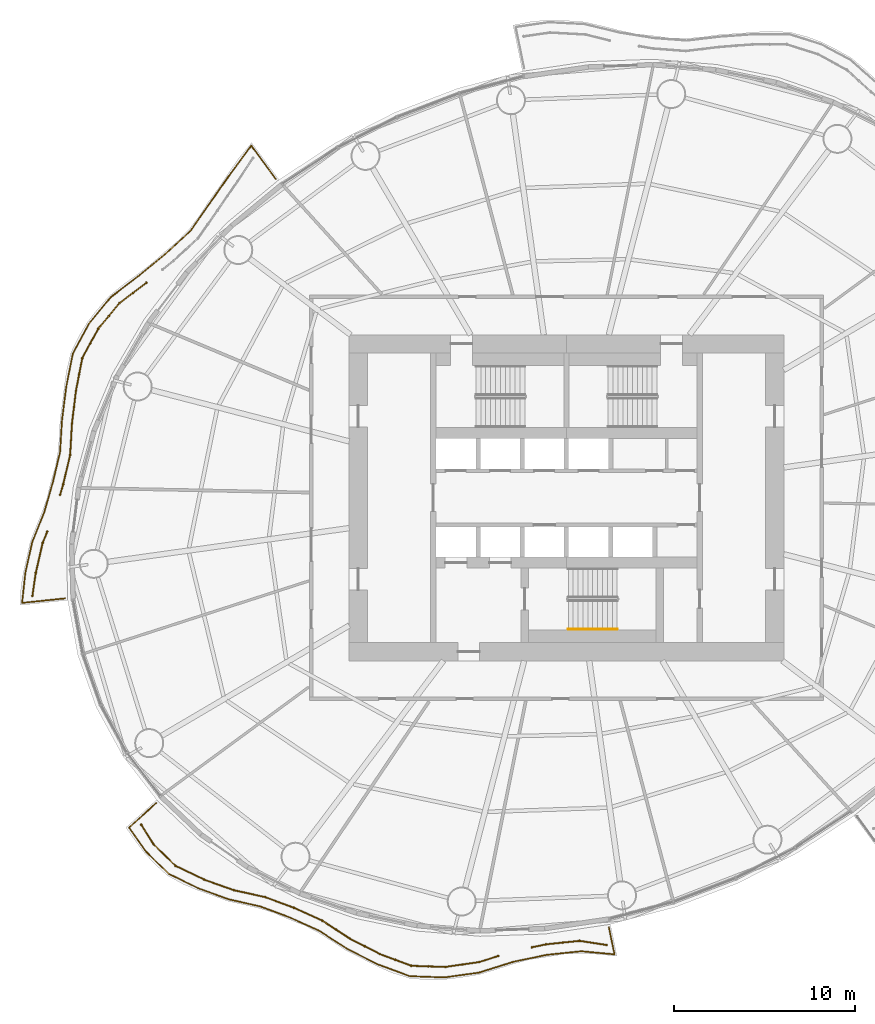
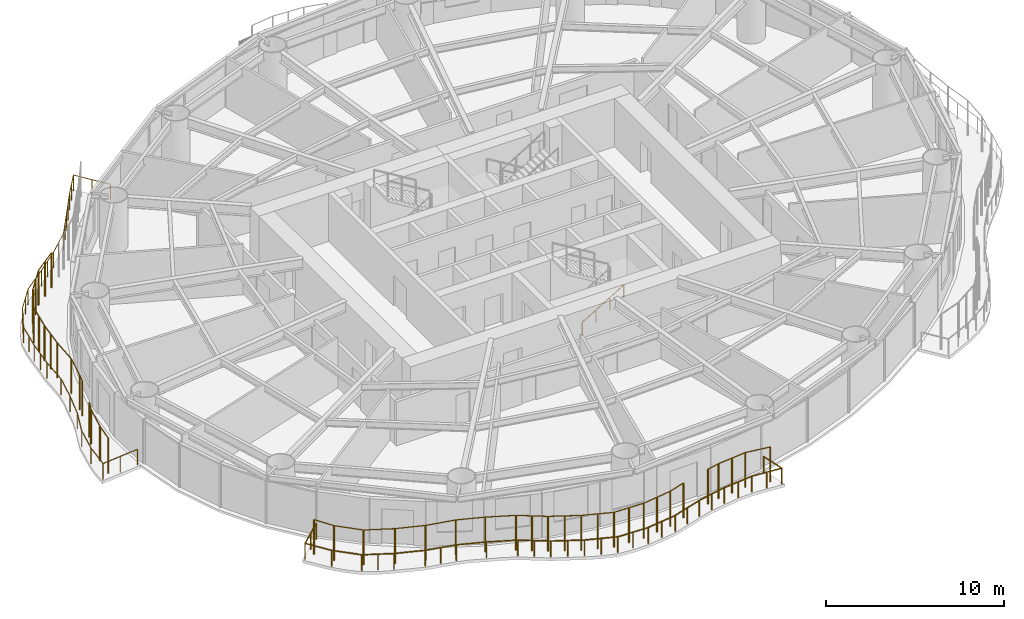
# One storey, part 11 of 15: 7 railings.
"""IFC4 building model written with IfcOpenShell, lengths in metres."""

from ifc_helpers import new_model, si_unit, direction, frame, origin, origin_2d, place, context, subcontext, project, spatial, circle, extrude, material, type_object, element, save


model = new_model("IFC4")

# Units and contexts
model_context = context("Model", 3, precision=1e-05, world=origin(), true_north=direction((0.0, 1.0)))
body_context = subcontext(model_context, "Body", "Model", "MODEL_VIEW")
ifc_project = project(units=[si_unit("LENGTHUNIT", "METRE"), si_unit("AREAUNIT", "SQUARE_METRE"), si_unit("VOLUMEUNIT", "CUBIC_METRE"), si_unit("PLANEANGLEUNIT", "RADIAN"), si_unit("MASSUNIT", "GRAM", prefix="KILO")], contexts=[model_context])

# Site, building, storey
site_placement = place(None, origin())
site = spatial("IfcSite", under=ifc_project, at=site_placement, CompositionType="ELEMENT")
building_placement = place(site_placement, origin())
building = spatial("IfcBuilding", under=site, at=building_placement, Name="Vermilion Reach Broadcast Tower", CompositionType="ELEMENT")
storey_placement = place(building_placement, frame((0.0, 0.0, 128.199951171875)))
storey = spatial("IfcBuildingStorey", under=building, at=storey_placement, Name="L30", CompositionType="ELEMENT", Elevation=128.199951171875)

# Railings
ifc_material_1 = material(Name="Terracotta baguette", Category="masonry")
railing_type_1 = type_object("IfcRailingType", Name="BAGUETTE SCREEN", PredefinedType="USERDEFINED", material=ifc_material_1)
railing_1_placement = place(storey_placement, frame((-29.19775390625, 11.87744140625, 0.0)))
element("IfcRailing", 1, at=railing_1_placement, inside=storey, type_object=railing_type_1, Name="Baguette screen L30 group 2 part 2", ObjectType="BAGUETTE SCREEN", PredefinedType="USERDEFINED", context=body_context, shape_type="SweptSolid", body=[
    extrude(circle(Radius=0.030029296875, at=origin_2d()), frame((0.0, 0.0, 2.369873046875), z_axis=(-0.797019544975, -0.603953512224, 0.0), x_axis=(0.603953512224, -0.797019544975, 0.0)), (0.0, 0.0, 1.0), 1.864013671875),
    extrude(circle(Radius=0.030029296875, at=origin_2d()), frame((-1.485595703125, -1.125732421875, 2.369873046875), z_axis=(-0.638960701418, -0.769239378896, 0.0), x_axis=(0.769239378896, -0.638960701418, 0.0)), (0.0, 0.0, 1.0), 1.845947265625),
    extrude(circle(Radius=0.030029296875, at=origin_2d()), frame((-2.6650390625, -2.545654296875, 2.369873046875), z_axis=(-0.476176440024, -0.879349758609, 0.0), x_axis=(0.879349758609, -0.476176440024, 0.0)), (0.0, 0.0, 1.0), 1.8427734375),
    extrude(circle(Radius=0.030029296875, at=origin_2d()), frame((-3.54248046875, -4.166015625, 2.369873046875), z_axis=(-0.190083859339, -0.981767857703, 0.0), x_axis=(0.981767857703, -0.190083859339, 0.0)), (0.0, 0.0, 1.0), 1.837890625),
    extrude(circle(Radius=0.030029296875, at=origin_2d()), frame((-3.891845703125, -5.970458984375, 2.369873046875), z_axis=(-0.121335629104, -0.992611537869, 0.0), x_axis=(0.992611537869, -0.121335629104, 0.0)), (0.0, 0.0, 1.0), 1.81494140625),
    extrude(circle(Radius=0.030029296875, at=origin_2d()), frame((-4.112060546875, -7.77197265625, 2.369873046875), z_axis=(-0.056278389278, -0.998415115521, 0.0), x_axis=(0.998415115521, -0.056278389278, 0.0)), (0.0, 0.0, 1.0), 1.739501953125),
    extrude(circle(Radius=0.030029296875, at=origin_2d()), frame((-4.2099609375, -9.5087890625, 2.369873046875), z_axis=(-0.231417068086, -0.972854634875, 0.0), x_axis=(0.972854634875, -0.231417068086, 0.0)), (0.0, 0.0, 1.0), 1.67626953125),
    extrude(circle(Radius=0.030029296875, at=origin_2d()), frame((-4.597900390625, -11.1396484375, 2.369873046875), z_axis=(-0.279557289821, -0.960129013054, 0.0), x_axis=(0.960129013054, -0.279557289821, 0.0)), (0.0, 0.0, 1.0), 0.593017578125),
    extrude(circle(Radius=0.050048828125, at=origin_2d()), origin(), (0.0, 0.0, 1.0), 2.33984375),
    extrude(circle(Radius=0.050048828125, at=origin_2d()), frame((-0.74267578125, -0.56298828125, 0.0)), (0.0, 0.0, 1.0), 2.33984375),
    extrude(circle(Radius=0.050048828125, at=origin_2d()), frame((-1.485595703125, -1.125732421875, 0.0)), (0.0, 0.0, 1.0), 2.33984375),
    extrude(circle(Radius=0.050048828125, at=origin_2d()), frame((-2.0751953125, -1.835693359375, 0.0)), (0.0, 0.0, 1.0), 2.33984375),
    extrude(circle(Radius=0.050048828125, at=origin_2d()), frame((-2.6650390625, -2.545654296875, 0.0)), (0.0, 0.0, 1.0), 2.33984375),
    extrude(circle(Radius=0.050048828125, at=origin_2d()), frame((-3.103759765625, -3.35595703125, 0.0)), (0.0, 0.0, 1.0), 2.33984375),
    extrude(circle(Radius=0.050048828125, at=origin_2d()), frame((-3.54248046875, -4.166015625, 0.0)), (0.0, 0.0, 1.0), 2.33984375),
    extrude(circle(Radius=0.050048828125, at=origin_2d()), frame((-3.71728515625, -5.068359375, 0.0)), (0.0, 0.0, 1.0), 2.33984375),
    extrude(circle(Radius=0.050048828125, at=origin_2d()), frame((-3.891845703125, -5.970458984375, 0.0)), (0.0, 0.0, 1.0), 2.33984375),
    extrude(circle(Radius=0.050048828125, at=origin_2d()), frame((-4.001953125, -6.87109375, 0.0)), (0.0, 0.0, 1.0), 2.33984375),
    extrude(circle(Radius=0.050048828125, at=origin_2d()), frame((-4.112060546875, -7.77197265625, 0.0)), (0.0, 0.0, 1.0), 2.33984375),
    extrude(circle(Radius=0.050048828125, at=origin_2d()), frame((-4.2099609375, -9.5087890625, 0.0)), (0.0, 0.0, 1.0), 2.33984375),
    extrude(circle(Radius=0.050048828125, at=origin_2d()), frame((-4.597900390625, -11.1396484375, 0.0)), (0.0, 0.0, 1.0), 2.33984375),
    extrude(circle(Radius=0.050048828125, at=origin_2d()), frame((-4.763671875, -11.708984375, 0.0)), (0.0, 0.0, 1.0), 2.33984375),
])
railing_2_placement = place(storey_placement, frame((-34.671142578125, -1.85986328125, 0.0)))
element("IfcRailing", 2, at=railing_2_placement, inside=storey, type_object=railing_type_1, Name="Baguette screen L30 group 2 part 3", ObjectType="BAGUETTE SCREEN", PredefinedType="USERDEFINED", context=body_context, shape_type="SweptSolid", body=[
    extrude(circle(Radius=0.030029296875, at=origin_2d()), frame((0.0, 0.0, 2.369873046875), z_axis=(-0.378775617451, -0.925488536733, 0.0), x_axis=(0.925488536733, -0.378775617451, 0.0)), (0.0, 0.0, 1.0), 0.665771484375),
    extrude(circle(Radius=0.030029296875, at=origin_2d()), frame((-0.252197265625, -0.6162109375, 2.369873046875), z_axis=(-0.22431823617, -0.974515945955, 0.0), x_axis=(0.974515945955, -0.22431823617, 0.0)), (0.0, 0.0, 1.0), 1.713134765625),
    extrude(circle(Radius=0.030029296875, at=origin_2d()), frame((-0.636474609375, -2.28564453125, 2.369873046875), z_axis=(-0.145395242026, -0.989373652164, 0.0), x_axis=(0.989373652164, -0.145395242026, 0.0)), (0.0, 0.0, 1.0), 1.28125),
    extrude(circle(Radius=0.050048828125, at=origin_2d()), origin(), (0.0, 0.0, 1.0), 2.33984375),
    extrude(circle(Radius=0.050048828125, at=origin_2d()), frame((-0.252197265625, -0.6162109375, 0.0)), (0.0, 0.0, 1.0), 2.33984375),
    extrude(circle(Radius=0.050048828125, at=origin_2d()), frame((-0.636474609375, -2.28564453125, 0.0)), (0.0, 0.0, 1.0), 2.33984375),
    extrude(circle(Radius=0.050048828125, at=origin_2d()), frame((-0.82275390625, -3.55322265625, 0.0)), (0.0, 0.0, 1.0), 2.33984375),
])
railing_3_placement = place(storey_placement, frame((-29.48828125, -18.052734375, 0.0)))
element("IfcRailing", 3, at=railing_3_placement, inside=storey, type_object=railing_type_1, Name="Baguette screen L30 group 3 part 1", ObjectType="BAGUETTE SCREEN", PredefinedType="USERDEFINED", context=body_context, shape_type="SweptSolid", body=[
    extrude(circle(Radius=0.030029296875, at=origin_2d()), frame((0.0, 0.0, 2.369873046875), z_axis=(0.534180539241, -0.845370422653, 0.0), x_axis=(0.845370422653, 0.534180539241, 0.0)), (0.0, 0.0, 1.0), 1.273193359375),
    extrude(circle(Radius=0.030029296875, at=origin_2d()), frame((0.68017578125, -1.076416015625, 2.369873046875), z_axis=(0.713802009595, -0.70034755022, 0.0), x_axis=(0.70034755022, 0.713802009595, 0.0)), (0.0, 0.0, 1.0), 1.705810546875),
    extrude(circle(Radius=0.030029296875, at=origin_2d()), frame((1.897705078125, -2.27099609375, 2.369873046875), z_axis=(0.901222240732, -0.433357211559, 0.0), x_axis=(0.433357211559, 0.901222240732, 0.0)), (0.0, 0.0, 1.0), 1.76171875),
    extrude(circle(Radius=0.030029296875, at=origin_2d()), frame((3.4853515625, -3.034423828125, 2.369873046875), z_axis=(0.942096626361, -0.33534153724, 0.0), x_axis=(0.33534153724, 0.942096626361, 0.0)), (0.0, 0.0, 1.0), 1.741455078125),
    extrude(circle(Radius=0.030029296875, at=origin_2d()), frame((5.1259765625, -3.618408203125, 2.369873046875), z_axis=(0.976438978151, -0.215793702289, 0.0), x_axis=(0.215793702289, 0.976438978151, 0.0)), (0.0, 0.0, 1.0), 1.77392578125),
    extrude(circle(Radius=0.030029296875, at=origin_2d()), frame((6.858154296875, -4.001220703125, 2.369873046875), z_axis=(0.937078391665, -0.349119016777, 0.0), x_axis=(0.349119016777, 0.937078391665, 0.0)), (0.0, 0.0, 1.0), 1.6826171875),
    extrude(circle(Radius=0.030029296875, at=origin_2d()), frame((8.434814453125, -4.588623046875, 2.369873046875), z_axis=(0.910889867441, -0.412649547914, 0.0), x_axis=(0.412649547914, 0.910889867441, 0.0)), (0.0, 0.0, 1.0), 1.722900390625),
    extrude(circle(Radius=0.030029296875, at=origin_2d()), frame((10.004150390625, -5.299560546875, 2.369873046875), z_axis=(0.837642863861, -0.546218301252, 0.0), x_axis=(0.546218301252, 0.837642863861, 0.0)), (0.0, 0.0, 1.0), 1.80615234375),
    extrude(circle(Radius=0.030029296875, at=origin_2d()), frame((11.51708984375, -6.2861328125, 2.369873046875), z_axis=(0.889258872097, -0.457404261454, 0.0), x_axis=(0.457404261454, 0.889258872097, 0.0)), (0.0, 0.0, 1.0), 1.86328125),
    extrude(circle(Radius=0.030029296875, at=origin_2d()), frame((13.174072265625, -7.138427734375, 2.369873046875), z_axis=(0.936296848242, -0.351209641059, 0.0), x_axis=(0.351209641059, 0.936296848242, 0.0)), (0.0, 0.0, 1.0), 1.8623046875),
    extrude(circle(Radius=0.030029296875, at=origin_2d()), frame((14.917724609375, -7.79248046875, 2.369873046875), z_axis=(0.999423116791, -0.03396223821, 0.0), x_axis=(0.03396223821, 0.999423116791, 0.0)), (0.0, 0.0, 1.0), 1.88330078125),
    extrude(circle(Radius=0.030029296875, at=origin_2d()), frame((16.800048828125, -7.8564453125, 2.369873046875), z_axis=(0.989762987564, 0.142720805944, 0.0), x_axis=(-0.142720805944, 0.989762987564, 0.0)), (0.0, 0.0, 1.0), 1.8935546875),
    extrude(circle(Radius=0.030029296875, at=origin_2d()), frame((18.67431640625, -7.586181640625, 2.369873046875), z_axis=(0.952395575323, 0.304864999804, 0.0), x_axis=(-0.304864999804, 0.952395575323, 0.0)), (0.0, 0.0, 1.0), 1.091552734375),
    extrude(circle(Radius=0.050048828125, at=origin_2d()), origin(), (0.0, 0.0, 1.0), 2.33984375),
    extrude(circle(Radius=0.050048828125, at=origin_2d()), frame((0.68017578125, -1.076416015625, 0.0)), (0.0, 0.0, 1.0), 2.33984375),
    extrude(circle(Radius=0.050048828125, at=origin_2d()), frame((1.897705078125, -2.27099609375, 0.0)), (0.0, 0.0, 1.0), 2.33984375),
    extrude(circle(Radius=0.050048828125, at=origin_2d()), frame((3.4853515625, -3.034423828125, 0.0)), (0.0, 0.0, 1.0), 2.33984375),
    extrude(circle(Radius=0.050048828125, at=origin_2d()), frame((5.1259765625, -3.618408203125, 0.0)), (0.0, 0.0, 1.0), 2.33984375),
    extrude(circle(Radius=0.050048828125, at=origin_2d()), frame((6.858154296875, -4.001220703125, 0.0)), (0.0, 0.0, 1.0), 2.33984375),
    extrude(circle(Radius=0.050048828125, at=origin_2d()), frame((8.434814453125, -4.588623046875, 0.0)), (0.0, 0.0, 1.0), 2.33984375),
    extrude(circle(Radius=0.050048828125, at=origin_2d()), frame((10.004150390625, -5.299560546875, 0.0)), (0.0, 0.0, 1.0), 2.33984375),
    extrude(circle(Radius=0.050048828125, at=origin_2d()), frame((10.7607421875, -5.79296875, 0.0)), (0.0, 0.0, 1.0), 2.33984375),
    extrude(circle(Radius=0.050048828125, at=origin_2d()), frame((11.51708984375, -6.2861328125, 0.0)), (0.0, 0.0, 1.0), 2.33984375),
    extrude(circle(Radius=0.050048828125, at=origin_2d()), frame((12.345703125, -6.71240234375, 0.0)), (0.0, 0.0, 1.0), 2.33984375),
    extrude(circle(Radius=0.050048828125, at=origin_2d()), frame((13.174072265625, -7.138427734375, 0.0)), (0.0, 0.0, 1.0), 2.33984375),
    extrude(circle(Radius=0.050048828125, at=origin_2d()), frame((14.0458984375, -7.46533203125, 0.0)), (0.0, 0.0, 1.0), 2.33984375),
    extrude(circle(Radius=0.050048828125, at=origin_2d()), frame((14.917724609375, -7.79248046875, 0.0)), (0.0, 0.0, 1.0), 2.33984375),
    extrude(circle(Radius=0.050048828125, at=origin_2d()), frame((15.85888671875, -7.824462890625, 0.0)), (0.0, 0.0, 1.0), 2.33984375),
    extrude(circle(Radius=0.050048828125, at=origin_2d()), frame((16.800048828125, -7.8564453125, 0.0)), (0.0, 0.0, 1.0), 2.33984375),
    extrude(circle(Radius=0.050048828125, at=origin_2d()), frame((17.7373046875, -7.72119140625, 0.0)), (0.0, 0.0, 1.0), 2.33984375),
    extrude(circle(Radius=0.050048828125, at=origin_2d()), frame((18.67431640625, -7.586181640625, 0.0)), (0.0, 0.0, 1.0), 2.33984375),
    extrude(circle(Radius=0.050048828125, at=origin_2d()), frame((19.7138671875, -7.25341796875, 0.0)), (0.0, 0.0, 1.0), 2.33984375),
])
railing_4_placement = place(storey_placement, frame((-7.90869140625, -24.82373046875, 0.0)))
element("IfcRailing", 4, at=railing_4_placement, inside=storey, type_object=railing_type_1, Name="Baguette screen L30 group 3 part 2", ObjectType="BAGUETTE SCREEN", PredefinedType="USERDEFINED", context=body_context, shape_type="SweptSolid", body=[
    extrude(circle(Radius=0.030029296875, at=origin_2d()), frame((0.0, 0.0, 2.369873046875), z_axis=(0.978628103491, 0.205638116745, 0.0), x_axis=(-0.205638116745, 0.978628103491, 0.0)), (0.0, 0.0, 1.0), 0.79296875),
    extrude(circle(Radius=0.030029296875, at=origin_2d()), frame((0.776123046875, 0.1630859375, 2.369873046875), z_axis=(0.994591346785, 0.103865552038, 0.0), x_axis=(-0.103865552038, 0.994591346785, 0.0)), (0.0, 0.0, 1.0), 1.861572265625),
    extrude(circle(Radius=0.030029296875, at=origin_2d()), frame((2.627685546875, 0.3564453125, 2.369873046875), z_axis=(0.988599418865, -0.150569548778, 0.0), x_axis=(0.150569548778, 0.988599418865, 0.0)), (0.0, 0.0, 1.0), 1.504638671875),
    extrude(circle(Radius=0.050048828125, at=origin_2d()), origin(), (0.0, 0.0, 1.0), 2.33984375),
    extrude(circle(Radius=0.050048828125, at=origin_2d()), frame((0.776123046875, 0.1630859375, 0.0)), (0.0, 0.0, 1.0), 2.33984375),
    extrude(circle(Radius=0.050048828125, at=origin_2d()), frame((1.701904296875, 0.259765625, 0.0)), (0.0, 0.0, 1.0), 2.33984375),
    extrude(circle(Radius=0.050048828125, at=origin_2d()), frame((2.627685546875, 0.3564453125, 0.0)), (0.0, 0.0, 1.0), 2.33984375),
    extrude(circle(Radius=0.050048828125, at=origin_2d()), frame((4.115234375, 0.1298828125, 0.0)), (0.0, 0.0, 1.0), 2.33984375),
])
ifc_material_2 = material(Name="Stainless steel 316 balustrade", Category="steel")
railing_type_2 = type_object("IfcRailingType", Name="Balcony guard 1100", PredefinedType="BALUSTRADE", material=ifc_material_2)
railing_5_placement = place(storey_placement, frame((-22.0576171875, 17.6103515625, 0.0)))
element("IfcRailing", 5, at=railing_5_placement, inside=storey, type_object=railing_type_2, Name="Balcony guard L30 group 2", PredefinedType="BALUSTRADE", context=body_context, shape_type="SweptSolid", body=[
    extrude(circle(Radius=0.02490234375, at=origin_2d()), frame((0.0, 0.0, 1.0751953125), z_axis=(-0.593429918657, 0.804885663708, 0.0), x_axis=(-0.804885663708, -0.593429918657, 0.0)), (0.0, 0.0, 1.0), 2.272216796875),
    extrude(circle(Radius=0.02490234375, at=origin_2d()), frame((-1.348388671875, 1.828857421875, 1.0751953125), z_axis=(-0.598307985833, -0.801266219236, 0.0), x_axis=(0.801266219236, -0.598307985833, 0.0)), (0.0, 0.0, 1.0), 1.89453125),
    extrude(circle(Radius=0.02490234375, at=origin_2d()), frame((-2.48193359375, 0.310791015625, 1.0751953125), z_axis=(-0.571501160774, -0.820601257149, 0.0), x_axis=(0.820601257149, -0.571501160774, 0.0)), (0.0, 0.0, 1.0), 1.981689453125),
    extrude(circle(Radius=0.02490234375, at=origin_2d()), frame((-3.614501953125, -1.3154296875, 1.0751953125), z_axis=(-0.575080154766, -0.818097069787, 0.0), x_axis=(0.818097069787, -0.575080154766, 0.0)), (0.0, 0.0, 1.0), 1.90283203125),
    extrude(circle(Radius=0.02490234375, at=origin_2d()), frame((-4.708740234375, -2.8720703125, 1.0751953125), z_axis=(-0.734983120805, -0.678085401798, 0.0), x_axis=(0.678085401798, -0.734983120805, 0.0)), (0.0, 0.0, 1.0), 1.875),
    extrude(circle(Radius=0.02490234375, at=origin_2d()), frame((-6.0869140625, -4.1435546875, 1.0751953125), z_axis=(-0.77339210496, -0.633927954885, 0.0), x_axis=(0.633927954885, -0.77339210496, 0.0)), (0.0, 0.0, 1.0), 1.88720703125),
    extrude(circle(Radius=0.02490234375, at=origin_2d()), frame((-7.54638671875, -5.33984375, 1.0751953125), z_axis=(-0.793836069627, -0.608131806896, 0.0), x_axis=(0.608131806896, -0.793836069627, 0.0)), (0.0, 0.0, 1.0), 1.966796875),
    extrude(circle(Radius=0.02490234375, at=origin_2d()), frame((-9.107666015625, -6.535888671875, 1.0751953125), z_axis=(-0.636961936504, -0.770895253226, 0.0), x_axis=(0.770895253226, -0.636961936504, 0.0)), (0.0, 0.0, 1.0), 1.881103515625),
    extrude(circle(Radius=0.02490234375, at=origin_2d()), frame((-10.305908203125, -7.986083984375, 1.0751953125), z_axis=(-0.476274780327, -0.879296499268, 0.0), x_axis=(0.879296499268, -0.476274780327, 0.0)), (0.0, 0.0, 1.0), 1.879638671875),
    extrude(circle(Radius=0.02490234375, at=origin_2d()), frame((-11.201171875, -9.638916015625, 1.0751953125), z_axis=(-0.194738195132, -0.980855257088, 0.0), x_axis=(0.980855257088, -0.194738195132, 0.0)), (0.0, 0.0, 1.0), 1.874267578125),
    extrude(circle(Radius=0.02490234375, at=origin_2d()), frame((-11.566162109375, -11.477294921875, 1.0751953125), z_axis=(-0.126482936883, -0.991968783116, 0.0), x_axis=(0.991968783116, -0.126482936883, 0.0)), (0.0, 0.0, 1.0), 1.85302734375),
    extrude(circle(Radius=0.02490234375, at=origin_2d()), frame((-11.800537109375, -13.3154296875, 1.0751953125), z_axis=(-0.061531732105, -0.998105127702, 0.0), x_axis=(0.998105127702, -0.061531732105, 0.0)), (0.0, 0.0, 1.0), 1.777587890625),
    extrude(circle(Radius=0.02490234375, at=origin_2d()), frame((-11.909912109375, -15.089599609375, 1.0751953125), z_axis=(-0.231383539633, -0.972862609821, 0.0), x_axis=(0.972862609821, -0.231383539633, 0.0)), (0.0, 0.0, 1.0), 1.7177734375),
    extrude(circle(Radius=0.02490234375, at=origin_2d()), frame((-12.307373046875, -16.7607421875, 1.0751953125), z_axis=(-0.276619482433, -0.960979532528, 0.0), x_axis=(0.960979532528, -0.276619482433, 0.0)), (0.0, 0.0, 1.0), 1.697998046875),
    extrude(circle(Radius=0.02490234375, at=origin_2d()), frame((-12.777099609375, -18.392578125, 1.0751953125), z_axis=(-0.372187977823, -0.928157373059, 0.0), x_axis=(0.928157373059, -0.372187977823, 0.0)), (0.0, 0.0, 1.0), 1.794677734375),
    extrude(circle(Radius=0.02490234375, at=origin_2d()), frame((-13.445068359375, -20.058349609375, 1.0751953125), z_axis=(-0.219197774114, -0.975680447597, 0.0), x_axis=(0.975680447597, -0.219197774114, 0.0)), (0.0, 0.0, 1.0), 1.75537109375),
    extrude(circle(Radius=0.02490234375, at=origin_2d()), frame((-13.829833984375, -21.77099609375, 1.0751953125), z_axis=(-0.105838922824, -0.994383287478, 0.0), x_axis=(0.994383287478, -0.105838922824, 0.0)), (0.0, 0.0, 1.0), 1.651611328125),
    extrude(circle(Radius=0.02490234375, at=origin_2d()), frame((-14.004638671875, -23.413330078125, 1.0751953125), z_axis=(0.994654451634, 0.103259487917, 0.0), x_axis=(-0.103259487917, 0.994654451634, 0.0)), (0.0, 0.0, 1.0), 2.380859375),
    extrude(circle(Radius=0.02490234375, at=origin_2d()), origin(), (0.0, 0.0, 1.0), 1.050048828125),
    extrude(circle(Radius=0.02490234375, at=origin_2d()), frame((-0.67431640625, 0.91455078125, 0.0)), (0.0, 0.0, 1.0), 1.050048828125),
    extrude(circle(Radius=0.02490234375, at=origin_2d()), frame((-1.348388671875, 1.828857421875, 0.0)), (0.0, 0.0, 1.0), 1.050048828125),
    extrude(circle(Radius=0.02490234375, at=origin_2d()), frame((-1.9150390625, 1.06982421875, 0.0)), (0.0, 0.0, 1.0), 1.050048828125),
    extrude(circle(Radius=0.02490234375, at=origin_2d()), frame((-2.48193359375, 0.310791015625, 0.0)), (0.0, 0.0, 1.0), 1.050048828125),
    extrude(circle(Radius=0.02490234375, at=origin_2d()), frame((-3.04833984375, -0.50244140625, 0.0)), (0.0, 0.0, 1.0), 1.050048828125),
    extrude(circle(Radius=0.02490234375, at=origin_2d()), frame((-3.614501953125, -1.3154296875, 0.0)), (0.0, 0.0, 1.0), 1.050048828125),
    extrude(circle(Radius=0.02490234375, at=origin_2d()), frame((-4.16162109375, -2.09375, 0.0)), (0.0, 0.0, 1.0), 1.050048828125),
    extrude(circle(Radius=0.02490234375, at=origin_2d()), frame((-4.708740234375, -2.8720703125, 0.0)), (0.0, 0.0, 1.0), 1.050048828125),
    extrude(circle(Radius=0.02490234375, at=origin_2d()), frame((-5.39794921875, -3.5078125, 0.0)), (0.0, 0.0, 1.0), 1.050048828125),
    extrude(circle(Radius=0.02490234375, at=origin_2d()), frame((-6.0869140625, -4.1435546875, 0.0)), (0.0, 0.0, 1.0), 1.050048828125),
    extrude(circle(Radius=0.02490234375, at=origin_2d()), frame((-6.816650390625, -4.74169921875, 0.0)), (0.0, 0.0, 1.0), 1.050048828125),
    extrude(circle(Radius=0.02490234375, at=origin_2d()), frame((-7.54638671875, -5.33984375, 0.0)), (0.0, 0.0, 1.0), 1.050048828125),
    extrude(circle(Radius=0.02490234375, at=origin_2d()), frame((-8.3271484375, -5.93798828125, 0.0)), (0.0, 0.0, 1.0), 1.050048828125),
    extrude(circle(Radius=0.02490234375, at=origin_2d()), frame((-9.107666015625, -6.535888671875, 0.0)), (0.0, 0.0, 1.0), 1.050048828125),
    extrude(circle(Radius=0.02490234375, at=origin_2d()), frame((-9.706787109375, -7.260986328125, 0.0)), (0.0, 0.0, 1.0), 1.050048828125),
    extrude(circle(Radius=0.02490234375, at=origin_2d()), frame((-10.305908203125, -7.986083984375, 0.0)), (0.0, 0.0, 1.0), 1.050048828125),
    extrude(circle(Radius=0.02490234375, at=origin_2d()), frame((-10.75341796875, -8.8125, 0.0)), (0.0, 0.0, 1.0), 1.050048828125),
    extrude(circle(Radius=0.02490234375, at=origin_2d()), frame((-11.201171875, -9.638916015625, 0.0)), (0.0, 0.0, 1.0), 1.050048828125),
    extrude(circle(Radius=0.02490234375, at=origin_2d()), frame((-11.3837890625, -10.55810546875, 0.0)), (0.0, 0.0, 1.0), 1.050048828125),
    extrude(circle(Radius=0.02490234375, at=origin_2d()), frame((-11.566162109375, -11.477294921875, 0.0)), (0.0, 0.0, 1.0), 1.050048828125),
    extrude(circle(Radius=0.02490234375, at=origin_2d()), frame((-11.683349609375, -12.396484375, 0.0)), (0.0, 0.0, 1.0), 1.050048828125),
    extrude(circle(Radius=0.02490234375, at=origin_2d()), frame((-11.800537109375, -13.3154296875, 0.0)), (0.0, 0.0, 1.0), 1.050048828125),
    extrude(circle(Radius=0.02490234375, at=origin_2d()), frame((-11.909912109375, -15.089599609375, 0.0)), (0.0, 0.0, 1.0), 1.050048828125),
    extrude(circle(Radius=0.02490234375, at=origin_2d()), frame((-12.307373046875, -16.7607421875, 0.0)), (0.0, 0.0, 1.0), 1.050048828125),
    extrude(circle(Radius=0.02490234375, at=origin_2d()), frame((-12.777099609375, -18.392578125, 0.0)), (0.0, 0.0, 1.0), 1.050048828125),
    extrude(circle(Radius=0.02490234375, at=origin_2d()), frame((-13.445068359375, -20.058349609375, 0.0)), (0.0, 0.0, 1.0), 1.050048828125),
    extrude(circle(Radius=0.02490234375, at=origin_2d()), frame((-13.829833984375, -21.77099609375, 0.0)), (0.0, 0.0, 1.0), 1.050048828125),
    extrude(circle(Radius=0.02490234375, at=origin_2d()), frame((-14.004638671875, -23.413330078125, 0.0)), (0.0, 0.0, 1.0), 1.050048828125),
    extrude(circle(Radius=0.02490234375, at=origin_2d()), frame((-12.820556640625, -23.29052734375, 0.0)), (0.0, 0.0, 1.0), 1.050048828125),
    extrude(circle(Radius=0.02490234375, at=origin_2d()), frame((-11.636474609375, -23.16748046875, 0.0)), (0.0, 0.0, 1.0), 1.050048828125),
])
railing_6_placement = place(storey_placement, frame((-28.66064453125, -16.8623046875, 0.0)))
element("IfcRailing", 6, at=railing_6_placement, inside=storey, type_object=railing_type_2, Name="Balcony guard L30 group 3", PredefinedType="BALUSTRADE", context=body_context, shape_type="SweptSolid", body=[
    extrude(circle(Radius=0.02490234375, at=origin_2d()), frame((0.0, 0.0, 1.0751953125), z_axis=(-0.742306496289, -0.670060493961, 0.0), x_axis=(0.670060493961, -0.742306496289, 0.0)), (0.0, 0.0, 1.0), 2.017333984375),
    extrude(circle(Radius=0.02490234375, at=origin_2d()), frame((-1.49755859375, -1.351806640625, 1.0751953125), z_axis=(0.579800643618, -0.814758377472, 0.0), x_axis=(0.814758377472, 0.579800643618, 0.0)), (0.0, 0.0, 1.0), 1.6396484375),
    extrude(circle(Radius=0.02490234375, at=origin_2d()), frame((-0.546875, -2.687744140625, 1.0751953125), z_axis=(0.714812785101, -0.699315867299, 0.0), x_axis=(0.699315867299, 0.714812785101, 0.0)), (0.0, 0.0, 1.0), 1.748779296875),
    extrude(circle(Radius=0.02490234375, at=origin_2d()), frame((0.703125, -3.91064453125, 1.0751953125), z_axis=(0.8991660215, -0.437607661931, 0.0), x_axis=(0.437607661931, 0.8991660215, 0.0)), (0.0, 0.0, 1.0), 1.80419921875),
    extrude(circle(Radius=0.02490234375, at=origin_2d()), frame((2.325439453125, -4.7001953125, 1.0751953125), z_axis=(0.94031651831, -0.340301109891, 0.0), x_axis=(0.340301109891, 0.94031651831, 0.0)), (0.0, 0.0, 1.0), 1.78125),
    extrude(circle(Radius=0.02490234375, at=origin_2d()), frame((4.00048828125, -5.306396484375, 1.0751953125), z_axis=(0.974997816981, -0.222214438961, 0.0), x_axis=(0.222214438961, 0.974997816981, 0.0)), (0.0, 0.0, 1.0), 1.81396484375),
    extrude(circle(Radius=0.02490234375, at=origin_2d()), frame((5.76904296875, -5.70947265625, 1.0751953125), z_axis=(0.936492251434, -0.350688270411, 0.0), x_axis=(0.350688270411, 0.936492251434, 0.0)), (0.0, 0.0, 1.0), 1.7216796875),
    extrude(circle(Radius=0.02490234375, at=origin_2d()), frame((7.38134765625, -6.313232421875, 1.0751953125), z_axis=(0.911435985122, -0.411441909659, 0.0), x_axis=(0.411441909659, 0.911435985122, 0.0)), (0.0, 0.0, 1.0), 1.76171875),
    extrude(circle(Radius=0.02490234375, at=origin_2d()), frame((8.987060546875, -7.0380859375, 1.0751953125), z_axis=(0.840635408196, -0.541601431392, 0.0), x_axis=(0.541601431392, 0.840635408196, 0.0)), (0.0, 0.0, 1.0), 1.841796875),
    extrude(circle(Radius=0.02490234375, at=origin_2d()), frame((10.535400390625, -8.03564453125, 1.0751953125), z_axis=(0.8913736895, -0.45326917573, 0.0), x_axis=(0.45326917573, 0.8913736895, 0.0)), (0.0, 0.0, 1.0), 1.899658203125),
    extrude(circle(Radius=0.02490234375, at=origin_2d()), frame((12.228759765625, -8.896728515625, 1.0751953125), z_axis=(0.937503256128, -0.347976500284, 0.0), x_axis=(0.347976500284, 0.937503256128, 0.0)), (0.0, 0.0, 1.0), 1.897216796875),
    extrude(circle(Radius=0.02490234375, at=origin_2d()), frame((14.00732421875, -9.556884765625, 1.0751953125), z_axis=(0.999374150443, -0.035373824016, 0.0), x_axis=(0.035373824016, 0.999374150443, 0.0)), (0.0, 0.0, 1.0), 1.918701171875),
    extrude(circle(Radius=0.02490234375, at=origin_2d()), frame((15.9248046875, -9.624755859375, 1.0751953125), z_axis=(0.990258762613, 0.139239301447, 0.0), x_axis=(-0.139239301447, 0.990258762613, 0.0)), (0.0, 0.0, 1.0), 1.927001953125),
    extrude(circle(Radius=0.02490234375, at=origin_2d()), frame((17.8330078125, -9.3564453125, 1.0751953125), z_axis=(0.953925439825, 0.300043755567, 0.0), x_axis=(-0.300043755567, 0.953925439825, 0.0)), (0.0, 0.0, 1.0), 1.98779296875),
    extrude(circle(Radius=0.02490234375, at=origin_2d()), frame((19.729248046875, -8.760009765625, 1.0751953125), z_axis=(0.979160488008, 0.203088007336, 0.0), x_axis=(-0.203088007336, 0.979160488008, 0.0)), (0.0, 0.0, 1.0), 1.890869140625),
    extrude(circle(Radius=0.02490234375, at=origin_2d()), frame((21.580810546875, -8.3759765625, 1.0751953125), z_axis=(0.99456460558, 0.104121301025, 0.0), x_axis=(-0.104121301025, 0.99456460558, 0.0)), (0.0, 0.0, 1.0), 1.89453125),
    extrude(circle(Radius=0.02490234375, at=origin_2d()), frame((23.465087890625, -8.1787109375, 1.0751953125), z_axis=(0.995665541764, -0.093006069395, 0.0), x_axis=(0.093006069395, 0.995665541764, 0.0)), (0.0, 0.0, 1.0), 1.853271484375),
    extrude(circle(Radius=0.02490234375, at=origin_2d()), frame((25.310302734375, -8.35107421875, 1.0751953125), z_axis=(-0.201183983902, 0.979553472058, 0.0), x_axis=(-0.979553472058, -0.201183983902, 0.0)), (0.0, 0.0, 1.0), 1.52783203125),
    extrude(circle(Radius=0.02490234375, at=origin_2d()), origin(), (0.0, 0.0, 1.0), 1.050048828125),
    extrude(circle(Radius=0.02490234375, at=origin_2d()), frame((-0.748779296875, -0.67578125, 0.0)), (0.0, 0.0, 1.0), 1.050048828125),
    extrude(circle(Radius=0.02490234375, at=origin_2d()), frame((-1.49755859375, -1.351806640625, 0.0)), (0.0, 0.0, 1.0), 1.050048828125),
    extrude(circle(Radius=0.02490234375, at=origin_2d()), frame((-0.546875, -2.687744140625, 0.0)), (0.0, 0.0, 1.0), 1.050048828125),
    extrude(circle(Radius=0.02490234375, at=origin_2d()), frame((0.703125, -3.91064453125, 0.0)), (0.0, 0.0, 1.0), 1.050048828125),
    extrude(circle(Radius=0.02490234375, at=origin_2d()), frame((1.51416015625, -4.305419921875, 0.0)), (0.0, 0.0, 1.0), 1.050048828125),
    extrude(circle(Radius=0.02490234375, at=origin_2d()), frame((2.325439453125, -4.7001953125, 0.0)), (0.0, 0.0, 1.0), 1.050048828125),
    extrude(circle(Radius=0.02490234375, at=origin_2d()), frame((4.00048828125, -5.306396484375, 0.0)), (0.0, 0.0, 1.0), 1.050048828125),
    extrude(circle(Radius=0.02490234375, at=origin_2d()), frame((4.884765625, -5.5078125, 0.0)), (0.0, 0.0, 1.0), 1.050048828125),
    extrude(circle(Radius=0.02490234375, at=origin_2d()), frame((5.76904296875, -5.70947265625, 0.0)), (0.0, 0.0, 1.0), 1.050048828125),
    extrude(circle(Radius=0.02490234375, at=origin_2d()), frame((7.38134765625, -6.313232421875, 0.0)), (0.0, 0.0, 1.0), 1.050048828125),
    extrude(circle(Radius=0.02490234375, at=origin_2d()), frame((8.987060546875, -7.0380859375, 0.0)), (0.0, 0.0, 1.0), 1.050048828125),
    extrude(circle(Radius=0.02490234375, at=origin_2d()), frame((9.76123046875, -7.536865234375, 0.0)), (0.0, 0.0, 1.0), 1.050048828125),
    extrude(circle(Radius=0.02490234375, at=origin_2d()), frame((10.535400390625, -8.03564453125, 0.0)), (0.0, 0.0, 1.0), 1.050048828125),
    extrude(circle(Radius=0.02490234375, at=origin_2d()), frame((11.382080078125, -8.46630859375, 0.0)), (0.0, 0.0, 1.0), 1.050048828125),
    extrude(circle(Radius=0.02490234375, at=origin_2d()), frame((12.228759765625, -8.896728515625, 0.0)), (0.0, 0.0, 1.0), 1.050048828125),
    extrude(circle(Radius=0.02490234375, at=origin_2d()), frame((13.1181640625, -9.226806640625, 0.0)), (0.0, 0.0, 1.0), 1.050048828125),
    extrude(circle(Radius=0.02490234375, at=origin_2d()), frame((14.00732421875, -9.556884765625, 0.0)), (0.0, 0.0, 1.0), 1.050048828125),
    extrude(circle(Radius=0.02490234375, at=origin_2d()), frame((14.966064453125, -9.5908203125, 0.0)), (0.0, 0.0, 1.0), 1.050048828125),
    extrude(circle(Radius=0.02490234375, at=origin_2d()), frame((15.9248046875, -9.624755859375, 0.0)), (0.0, 0.0, 1.0), 1.050048828125),
    extrude(circle(Radius=0.02490234375, at=origin_2d()), frame((16.87890625, -9.49072265625, 0.0)), (0.0, 0.0, 1.0), 1.050048828125),
    extrude(circle(Radius=0.02490234375, at=origin_2d()), frame((17.8330078125, -9.3564453125, 0.0)), (0.0, 0.0, 1.0), 1.050048828125),
    extrude(circle(Radius=0.02490234375, at=origin_2d()), frame((18.78125, -9.05810546875, 0.0)), (0.0, 0.0, 1.0), 1.050048828125),
    extrude(circle(Radius=0.02490234375, at=origin_2d()), frame((19.729248046875, -8.760009765625, 0.0)), (0.0, 0.0, 1.0), 1.050048828125),
    extrude(circle(Radius=0.02490234375, at=origin_2d()), frame((20.655029296875, -8.56787109375, 0.0)), (0.0, 0.0, 1.0), 1.050048828125),
    extrude(circle(Radius=0.02490234375, at=origin_2d()), frame((21.580810546875, -8.3759765625, 0.0)), (0.0, 0.0, 1.0), 1.050048828125),
    extrude(circle(Radius=0.02490234375, at=origin_2d()), frame((22.52294921875, -8.27734375, 0.0)), (0.0, 0.0, 1.0), 1.050048828125),
    extrude(circle(Radius=0.02490234375, at=origin_2d()), frame((23.465087890625, -8.1787109375, 0.0)), (0.0, 0.0, 1.0), 1.050048828125),
    extrude(circle(Radius=0.02490234375, at=origin_2d()), frame((24.3876953125, -8.264892578125, 0.0)), (0.0, 0.0, 1.0), 1.050048828125),
    extrude(circle(Radius=0.02490234375, at=origin_2d()), frame((25.310302734375, -8.35107421875, 0.0)), (0.0, 0.0, 1.0), 1.050048828125),
    extrude(circle(Radius=0.02490234375, at=origin_2d()), frame((25.0029296875, -6.8544921875, 0.0)), (0.0, 0.0, 1.0), 1.050048828125),
])
ifc_material_3 = material(Name="Stainless steel", Category="steel")
railing_type_3 = type_object("IfcRailingType", Name="Stair handrail", PredefinedType="HANDRAIL", material=ifc_material_3)
railing_7_placement = place(storey_placement, frame((-5.89990234375, -7.25, 0.16357421875)))
element("IfcRailing", 7, at=railing_7_placement, inside=storey, type_object=railing_type_3, Name="L30 ST3 stair handrail 1", PredefinedType="HANDRAIL", context=body_context, shape_type="SweptSolid", body=[
    extrude(circle(Radius=0.02392578125, at=origin_2d()), frame((0.0, 0.0, 0.8759765625), z_axis=(0.855178096276, 0.0, 0.518334277904), x_axis=(0.0, 1.0, 0.0)), (0.0, 0.0, 1.0), 3.1572265625),
    extrude(circle(Radius=0.02099609375, at=origin_2d()), origin(), (0.0, 0.0, 1.0), 0.851806640625),
    extrude(circle(Radius=0.02099609375, at=origin_2d()), frame((0.89990234375, 0.0, 0.54541015625)), (0.0, 0.0, 1.0), 0.851806640625),
    extrude(circle(Radius=0.02099609375, at=origin_2d()), frame((1.800048828125, 0.0, 1.091064453125)), (0.0, 0.0, 1.0), 0.851806640625),
    extrude(circle(Radius=0.02099609375, at=origin_2d()), frame((2.699951171875, 0.0, 1.636474609375)), (0.0, 0.0, 1.0), 0.851806640625),
])

save(model, "model.ifc")
